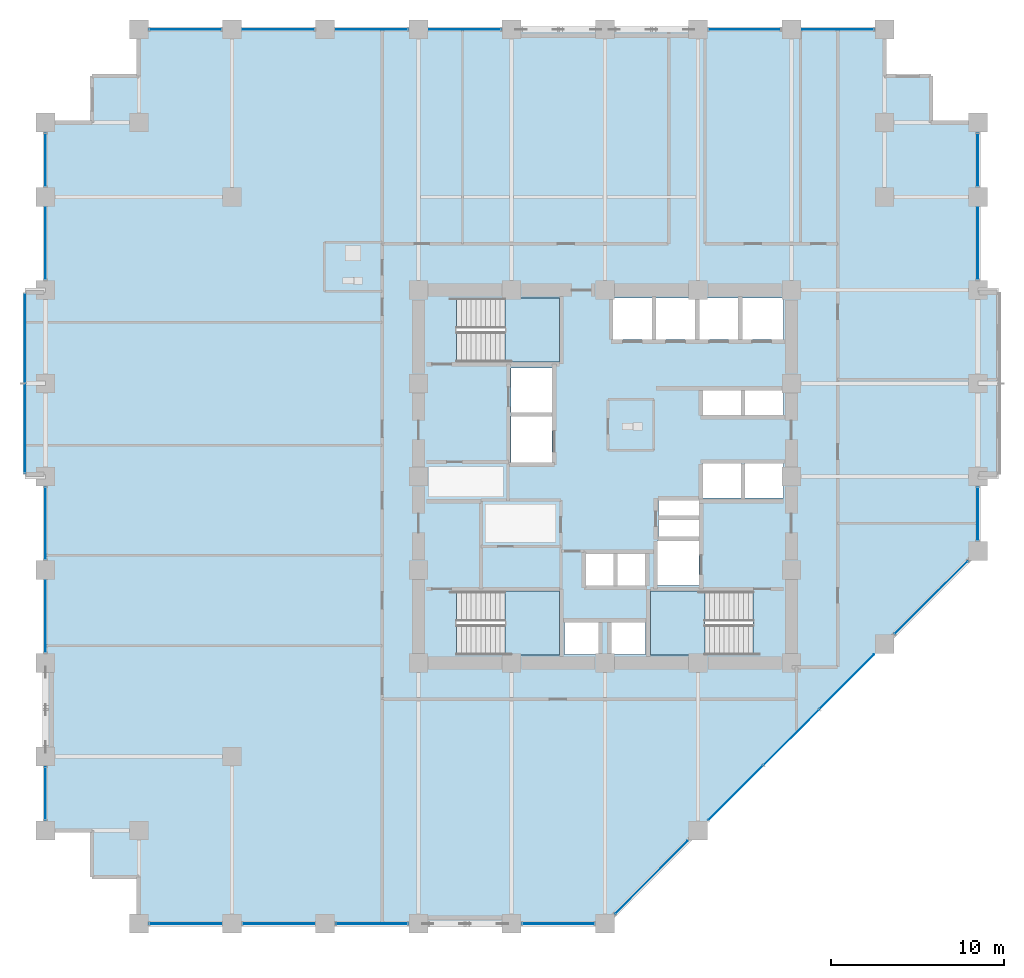
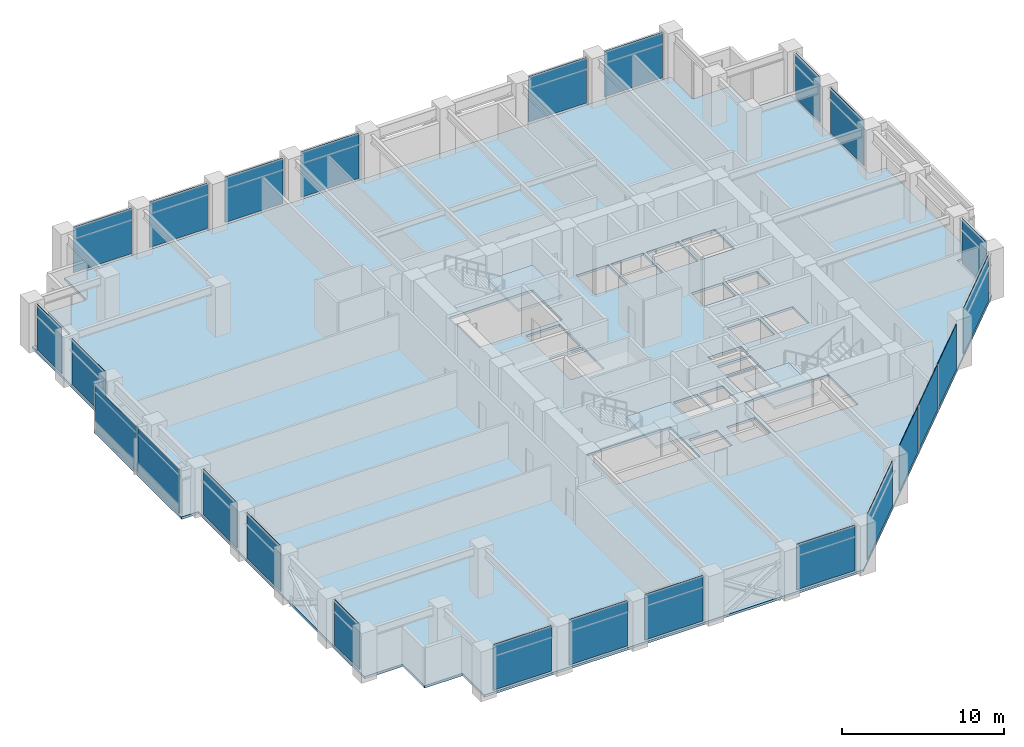
# One storey, part 18 of 25: 25 plates, 4 slabs, 14 elements without a shape of their own.
"""IFC4 building model written with IfcOpenShell, lengths in metres."""

from ifc_helpers import new_model, si_unit, direction, frame, frame_2d, origin, place, context, subcontext, project, spatial, polyline, rectangle, outline, extrude, material, layer, layer_set, type_object, element, aggregate, save


model = new_model("IFC4")

# Units and contexts
model_context = context("Model", 3, precision=1e-05, world=origin(), true_north=direction((0.0, 1.0)))
body_context = subcontext(model_context, "Body", "Model", "MODEL_VIEW")
ifc_project = project(units=[si_unit("LENGTHUNIT", "METRE"), si_unit("AREAUNIT", "SQUARE_METRE"), si_unit("VOLUMEUNIT", "CUBIC_METRE"), si_unit("PLANEANGLEUNIT", "RADIAN"), si_unit("MASSUNIT", "GRAM", prefix="KILO")], contexts=[model_context])

# Site, building, storey
site_placement = place(None, origin())
site = spatial("IfcSite", under=ifc_project, at=site_placement, CompositionType="ELEMENT")
building_placement = place(site_placement, origin())
building = spatial("IfcBuilding", under=site, at=building_placement, Name="Surkhivell Harbour Commons", CompositionType="ELEMENT")
storey_placement = place(building_placement, frame((0.0, 0.0, 98.25)))
storey = spatial("IfcBuildingStorey", under=building, at=storey_placement, Name="L25", CompositionType="ELEMENT", Elevation=98.25)

# Curtain wall, plates
ifc_material_1 = material(Name="Anodised pale-metal aluminium and insulated glazing", Category="aluminium")
ifc_layer_1 = layer(ifc_material_1, 0.1650390625)
ifc_layer_set_1 = layer_set([ifc_layer_1], Name="Anodised pale-metal aluminium and insulated glazing")
curtain_wall_type_1 = type_object("IfcCurtainWallType", Name="CW-SYS-BOX", PredefinedType="NOTDEFINED", material=ifc_layer_set_1)
curtain_wall_1_placement = place(storey_placement, origin())
curtain_wall_1 = element("IfcCurtainWall", 1, at=curtain_wall_1_placement, inside=storey, type_object=curtain_wall_type_1, Name="L25 Curtain Wall CW-L25-BOX02", PredefinedType="NOTDEFINED")
ifc_material_2 = material(Name="Triple-glazed bay-cluster vision glass", Category="glass")
ifc_layer_2 = layer(ifc_material_2, 0.028076171875)
ifc_layer_set_2 = layer_set([ifc_layer_2], Name="Triple-glazed bay-cluster vision glass")
plate_type_1 = type_object("IfcPlateType", Name="CWP-GLZ-28", PredefinedType="CURTAIN_PANEL", material=ifc_layer_set_2)
plate_1_placement = place(storey_placement, frame((-33.60009765625, 0.219970703125, 0.1298828125), z_axis=(0.0, 0.0, 1.0), x_axis=(0.0, 1.0, 0.0)))
plate_1 = element("IfcPlate", 2, at=plate_1_placement, type_object=plate_type_1, Name="CW-BOX panel 1.1", PredefinedType="CURTAIN_PANEL", context=body_context, shape_type="SweptSolid", body=[
    extrude(rectangle(XDim=5.14501953125, YDim=0.028076171875, at=frame_2d((2.572509765625, 0.0))), origin(), (0.0, 0.0, 1.0), 3.31005859375),
])
plate_2_placement = place(storey_placement, frame((-33.60009765625, 5.43505859375, 0.1298828125), z_axis=(0.0, 0.0, 1.0), x_axis=(0.0, 1.0, 0.0)))
plate_2 = element("IfcPlate", 3, at=plate_2_placement, type_object=plate_type_1, Name="CW-BOX panel 2.1", PredefinedType="CURTAIN_PANEL", context=body_context, shape_type="SweptSolid", body=[
    extrude(rectangle(XDim=5.14501953125, YDim=0.028076171875, at=frame_2d((2.572509765625, 0.0))), origin(), (0.0, 0.0, 1.0), 3.31005859375),
])
aggregate(curtain_wall_1, [plate_1, plate_2])

ifc_layer_3 = layer(ifc_material_1, 0.205078125)
ifc_layer_set_3 = layer_set([ifc_layer_3], Name="Anodised pale-metal aluminium and insulated glazing")
curtain_wall_type_2 = type_object("IfcCurtainWallType", Name="CW-SYS-Z2", PredefinedType="NOTDEFINED", material=ifc_layer_set_3)
curtain_wall_2_placement = place(storey_placement, origin())
curtain_wall_2 = element("IfcCurtainWall", 4, at=curtain_wall_2_placement, inside=storey, type_object=curtain_wall_type_2, Name="L25 Curtain Wall CW-L25-E00S1", PredefinedType="NOTDEFINED")
ifc_material_3 = material(Name="High-pressure typhoon laminated vision glass", Category="glass")
ifc_layer_4 = layer(ifc_material_3, 0.035888671875)
ifc_layer_set_4 = layer_set([ifc_layer_4], Name="High-pressure typhoon laminated vision glass")
plate_type_2 = type_object("IfcPlateType", Name="CWP-GLZ-36", PredefinedType="CURTAIN_PANEL", material=ifc_layer_set_4)
plate_3_placement = place(storey_placement, frame((-26.373046875, -25.89990234375, 0.14990234375), z_axis=(0.0, 0.0, 1.0), x_axis=(1.0, 0.0, 0.0)))
plate_3 = element("IfcPlate", 5, at=plate_3_placement, type_object=plate_type_2, Name="CW-Z2 panel 1.1", PredefinedType="CURTAIN_PANEL", context=body_context, shape_type="SweptSolid", body=[
    extrude(rectangle(XDim=4.14599609375, YDim=0.035888671875, at=frame_2d((2.072998046875, 0.0))), origin(), (0.0, 0.0, 1.0), 3.420166015625),
])
plate_4_placement = place(storey_placement, frame((-20.972900390625, -25.89990234375, 0.14990234375), z_axis=(0.0, 0.0, 1.0), x_axis=(1.0, 0.0, 0.0)))
plate_4 = element("IfcPlate", 6, at=plate_4_placement, type_object=plate_type_2, Name="CW-Z2 panel 2.1", PredefinedType="CURTAIN_PANEL", context=body_context, shape_type="SweptSolid", body=[
    extrude(rectangle(XDim=4.14599609375, YDim=0.035888671875, at=frame_2d((2.072998046875, 0.0))), origin(), (0.0, 0.0, 1.0), 3.420166015625),
])
plate_5_placement = place(storey_placement, frame((-15.572998046875, -25.89990234375, 0.14990234375), z_axis=(0.0, 0.0, 1.0), x_axis=(1.0, 0.0, 0.0)))
plate_5 = element("IfcPlate", 7, at=plate_5_placement, type_object=plate_type_2, Name="CW-Z2 panel 3.1", PredefinedType="CURTAIN_PANEL", context=body_context, shape_type="SweptSolid", body=[
    extrude(rectangle(XDim=4.14599609375, YDim=0.035888671875, at=frame_2d((2.072998046875, 0.0))), origin(), (0.0, 0.0, 1.0), 3.420166015625),
])
aggregate(curtain_wall_2, [plate_3, plate_4, plate_5])

# Curtain wall, plate
curtain_wall_3_placement = place(storey_placement, origin())
curtain_wall_3 = element("IfcCurtainWall", 8, at=curtain_wall_3_placement, inside=storey, type_object=curtain_wall_type_2, Name="L25 Curtain Wall CW-L25-E00S2", PredefinedType="NOTDEFINED")
plate_6_placement = place(storey_placement, frame((-4.77294921875, -25.89990234375, 0.14990234375), z_axis=(0.0, 0.0, 1.0), x_axis=(1.0, 0.0, 0.0)))
plate_6 = element("IfcPlate", 9, at=plate_6_placement, type_object=plate_type_2, Name="CW-Z2 panel 1.1", PredefinedType="CURTAIN_PANEL", context=body_context, shape_type="SweptSolid", body=[
    extrude(rectangle(XDim=4.14599609375, YDim=0.035888671875, at=frame_2d((2.072998046875, 0.0))), origin(), (0.0, 0.0, 1.0), 3.420166015625),
])
aggregate(curtain_wall_3, [plate_6])

# Curtain wall, plates
curtain_wall_4_placement = place(storey_placement, origin())
curtain_wall_4 = element("IfcCurtainWall", 10, at=curtain_wall_4_placement, inside=storey, type_object=curtain_wall_type_2, Name="L25 Curtain Wall CW-L25-E01", PredefinedType="NOTDEFINED")
plate_7_placement = place(storey_placement, frame((0.604736328125, -25.295166015625, 0.14990234375), z_axis=(0.0, 0.0, 1.0), x_axis=(0.707106781187, 0.707106781187, 0.0)))
plate_7 = element("IfcPlate", 11, at=plate_7_placement, type_object=plate_type_2, Name="CW-Z2 panel 1.1", PredefinedType="CURTAIN_PANEL", context=body_context, shape_type="SweptSolid", body=[
    extrude(rectangle(XDim=5.92626953125, YDim=0.035888671875, at=frame_2d((2.963134765625, 0.0))), origin(), (0.0, 0.0, 1.0), 3.420166015625),
])
plate_8_placement = place(storey_placement, frame((6.004638671875, -19.895263671875, 0.14990234375), z_axis=(0.0, 0.0, 1.0), x_axis=(0.707134159244, 0.707079402069, 0.0)))
plate_8 = element("IfcPlate", 12, at=plate_8_placement, type_object=plate_type_2, Name="CW-Z2 panel 2.1", PredefinedType="CURTAIN_PANEL", context=body_context, shape_type="SweptSolid", body=[
    extrude(rectangle(XDim=4.45849609375, YDim=0.035888671875, at=frame_2d((2.229248046875, 0.0))), origin(), (0.0, 0.0, 1.0), 3.420166015625),
])
plate_9_placement = place(storey_placement, frame((9.21044921875, -16.689697265625, 0.14990234375), z_axis=(0.0, 0.0, 1.0), x_axis=(0.707106781187, 0.707106781187, 0.0)))
plate_9 = element("IfcPlate", 13, at=plate_9_placement, type_object=plate_type_2, Name="CW-Z2 panel 3.1", PredefinedType="CURTAIN_PANEL", context=body_context, shape_type="SweptSolid", body=[
    extrude(rectangle(XDim=4.49609375, YDim=0.035888671875, at=frame_2d((2.248046875, 0.0))), origin(), (0.0, 0.0, 1.0), 3.420166015625),
])
plate_10_placement = place(storey_placement, frame((12.442626953125, -13.457275390625, 0.14990234375), z_axis=(0.0, 0.0, 1.0), x_axis=(0.707106781187, 0.707106781187, 0.0)))
plate_10 = element("IfcPlate", 14, at=plate_10_placement, type_object=plate_type_2, Name="CW-Z2 panel 4.1", PredefinedType="CURTAIN_PANEL", context=body_context, shape_type="SweptSolid", body=[
    extrude(rectangle(XDim=4.45849609375, YDim=0.035888671875, at=frame_2d((2.229248046875, 0.0))), origin(), (0.0, 0.0, 1.0), 3.420166015625),
])
plate_11_placement = place(storey_placement, frame((16.8046875, -9.09521484375, 0.14990234375), z_axis=(0.0, 0.0, 1.0), x_axis=(0.707127378829, 0.707086182944, 0.0)))
plate_11 = element("IfcPlate", 15, at=plate_11_placement, type_object=plate_type_2, Name="CW-Z2 panel 5.1", PredefinedType="CURTAIN_PANEL", context=body_context, shape_type="SweptSolid", body=[
    extrude(rectangle(XDim=5.92626953125, YDim=0.035888671875, at=frame_2d((2.963134765625, 0.0))), origin(), (0.0, 0.0, 1.0), 3.420166015625),
])
aggregate(curtain_wall_4, [plate_7, plate_8, plate_9, plate_10, plate_11])

# Curtain wall, plate
curtain_wall_5_placement = place(storey_placement, origin())
curtain_wall_5 = element("IfcCurtainWall", 16, at=curtain_wall_5_placement, inside=storey, type_object=curtain_wall_type_2, Name="L25 Curtain Wall CW-L25-E02R1", PredefinedType="NOTDEFINED")
plate_12_placement = place(storey_placement, frame((21.60009765625, -3.673095703125, 0.14990234375), z_axis=(0.0, 0.0, 1.0), x_axis=(0.0, 1.0, 0.0)))
plate_12 = element("IfcPlate", 17, at=plate_12_placement, type_object=plate_type_2, Name="CW-Z2 panel 1.1", PredefinedType="CURTAIN_PANEL", context=body_context, shape_type="SweptSolid", body=[
    extrude(rectangle(XDim=3.046142578125, YDim=0.035888671875, at=frame_2d((1.52294921875, 0.0))), origin(), (0.0, 0.0, 1.0), 3.420166015625),
])
aggregate(curtain_wall_5, [plate_12])

# Curtain wall, plates
curtain_wall_6_placement = place(storey_placement, origin())
curtain_wall_6 = element("IfcCurtainWall", 18, at=curtain_wall_6_placement, inside=storey, type_object=curtain_wall_type_2, Name="L25 Curtain Wall CW-L25-E02R2", PredefinedType="NOTDEFINED")
plate_13_placement = place(storey_placement, frame((21.60009765625, 11.427001953125, 0.14990234375), z_axis=(0.0, 0.0, 1.0), x_axis=(0.0, 1.0, 0.0)))
plate_13 = element("IfcPlate", 19, at=plate_13_placement, type_object=plate_type_2, Name="CW-Z2 panel 1.1", PredefinedType="CURTAIN_PANEL", context=body_context, shape_type="SweptSolid", body=[
    extrude(rectangle(XDim=4.14599609375, YDim=0.035888671875, at=frame_2d((2.072998046875, 0.0))), origin(), (0.0, 0.0, 1.0), 3.420166015625),
])
plate_14_placement = place(storey_placement, frame((21.60009765625, 16.826904296875, 0.14990234375), z_axis=(0.0, 0.0, 1.0), x_axis=(0.0, 1.0, 0.0)))
plate_14 = element("IfcPlate", 20, at=plate_14_placement, type_object=plate_type_2, Name="CW-Z2 panel 2.1", PredefinedType="CURTAIN_PANEL", context=body_context, shape_type="SweptSolid", body=[
    extrude(rectangle(XDim=3.046142578125, YDim=0.035888671875, at=frame_2d((1.52294921875, 0.0))), origin(), (0.0, 0.0, 1.0), 3.420166015625),
])
aggregate(curtain_wall_6, [plate_13, plate_14])

curtain_wall_7_placement = place(storey_placement, origin())
curtain_wall_7 = element("IfcCurtainWall", 21, at=curtain_wall_7_placement, inside=storey, type_object=curtain_wall_type_2, Name="L25 Curtain Wall CW-L25-E07S1", PredefinedType="NOTDEFINED")
plate_15_placement = place(storey_placement, frame((15.572998046875, 25.89990234375, 0.14990234375), z_axis=(0.0, 0.0, 1.0), x_axis=(-1.0, 0.0, 0.0)))
plate_15 = element("IfcPlate", 22, at=plate_15_placement, type_object=plate_type_2, Name="CW-Z2 panel 1.1", PredefinedType="CURTAIN_PANEL", context=body_context, shape_type="SweptSolid", body=[
    extrude(rectangle(XDim=4.14599609375, YDim=0.035888671875, at=frame_2d((2.072998046875, 0.0))), origin(), (0.0, 0.0, 1.0), 3.420166015625),
])
plate_16_placement = place(storey_placement, frame((10.173095703125, 25.89990234375, 0.14990234375), z_axis=(0.0, 0.0, 1.0), x_axis=(-1.0, 0.0, 0.0)))
plate_16 = element("IfcPlate", 23, at=plate_16_placement, type_object=plate_type_2, Name="CW-Z2 panel 2.1", PredefinedType="CURTAIN_PANEL", context=body_context, shape_type="SweptSolid", body=[
    extrude(rectangle(XDim=4.14599609375, YDim=0.035888671875, at=frame_2d((2.072998046875, 0.0))), origin(), (0.0, 0.0, 1.0), 3.420166015625),
])
aggregate(curtain_wall_7, [plate_15, plate_16])

curtain_wall_8_placement = place(storey_placement, origin())
curtain_wall_8 = element("IfcCurtainWall", 24, at=curtain_wall_8_placement, inside=storey, type_object=curtain_wall_type_2, Name="L25 Curtain Wall CW-L25-E07S2", PredefinedType="NOTDEFINED")
plate_17_placement = place(storey_placement, frame((-6.027099609375, 25.89990234375, 0.14990234375), z_axis=(0.0, 0.0, 1.0), x_axis=(-1.0, 0.0, 0.0)))
plate_17 = element("IfcPlate", 25, at=plate_17_placement, type_object=plate_type_2, Name="CW-Z2 panel 1.1", PredefinedType="CURTAIN_PANEL", context=body_context, shape_type="SweptSolid", body=[
    extrude(rectangle(XDim=4.14599609375, YDim=0.035888671875, at=frame_2d((2.072998046875, 0.0))), origin(), (0.0, 0.0, 1.0), 3.420166015625),
])
plate_18_placement = place(storey_placement, frame((-11.427001953125, 25.89990234375, 0.14990234375), z_axis=(0.0, 0.0, 1.0), x_axis=(-1.0, 0.0, 0.0)))
plate_18 = element("IfcPlate", 26, at=plate_18_placement, type_object=plate_type_2, Name="CW-Z2 panel 2.1", PredefinedType="CURTAIN_PANEL", context=body_context, shape_type="SweptSolid", body=[
    extrude(rectangle(XDim=4.14599609375, YDim=0.035888671875, at=frame_2d((2.072998046875, 0.0))), origin(), (0.0, 0.0, 1.0), 3.420166015625),
])
plate_19_placement = place(storey_placement, frame((-16.826904296875, 25.89990234375, 0.14990234375), z_axis=(0.0, 0.0, 1.0), x_axis=(-1.0, 0.0, 0.0)))
plate_19 = element("IfcPlate", 27, at=plate_19_placement, type_object=plate_type_2, Name="CW-Z2 panel 3.1", PredefinedType="CURTAIN_PANEL", context=body_context, shape_type="SweptSolid", body=[
    extrude(rectangle(XDim=4.14599609375, YDim=0.035888671875, at=frame_2d((2.072998046875, 0.0))), origin(), (0.0, 0.0, 1.0), 3.420166015625),
])
plate_20_placement = place(storey_placement, frame((-22.22705078125, 25.89990234375, 0.14990234375), z_axis=(0.0, 0.0, 1.0), x_axis=(-1.0, 0.0, 0.0)))
plate_20 = element("IfcPlate", 28, at=plate_20_placement, type_object=plate_type_2, Name="CW-Z2 panel 4.1", PredefinedType="CURTAIN_PANEL", context=body_context, shape_type="SweptSolid", body=[
    extrude(rectangle(XDim=4.14599609375, YDim=0.035888671875, at=frame_2d((2.072998046875, 0.0))), origin(), (0.0, 0.0, 1.0), 3.420166015625),
])
aggregate(curtain_wall_8, [plate_17, plate_18, plate_19, plate_20])

# Curtain wall, plate
curtain_wall_9_placement = place(storey_placement, origin())
curtain_wall_9 = element("IfcCurtainWall", 29, at=curtain_wall_9_placement, inside=storey, type_object=curtain_wall_type_2, Name="L25 Curtain Wall CW-L25-E12R1S1", PredefinedType="NOTDEFINED")
plate_21_placement = place(storey_placement, frame((-32.39990234375, -19.873046875, 0.14990234375), z_axis=(0.0, 0.0, 1.0), x_axis=(0.0, 1.0, 0.0)))
plate_21 = element("IfcPlate", 30, at=plate_21_placement, type_object=plate_type_2, Name="CW-Z2 panel 1.1", PredefinedType="CURTAIN_PANEL", context=body_context, shape_type="SweptSolid", body=[
    extrude(rectangle(XDim=3.046142578125, YDim=0.035888671875, at=frame_2d((1.52294921875, 0.0))), origin(), (0.0, 0.0, 1.0), 3.420166015625),
])
aggregate(curtain_wall_9, [plate_21])

# Curtain wall, plates
curtain_wall_10_placement = place(storey_placement, origin())
curtain_wall_10 = element("IfcCurtainWall", 31, at=curtain_wall_10_placement, inside=storey, type_object=curtain_wall_type_2, Name="L25 Curtain Wall CW-L25-E12R1S2", PredefinedType="NOTDEFINED")
plate_22_placement = place(storey_placement, frame((-32.39990234375, -10.173095703125, 0.14990234375), z_axis=(0.0, 0.0, 1.0), x_axis=(0.0, 1.0, 0.0)))
plate_22 = element("IfcPlate", 32, at=plate_22_placement, type_object=plate_type_2, Name="CW-Z2 panel 1.1", PredefinedType="CURTAIN_PANEL", context=body_context, shape_type="SweptSolid", body=[
    extrude(rectangle(XDim=4.14599609375, YDim=0.035888671875, at=frame_2d((2.072998046875, 0.0))), origin(), (0.0, 0.0, 1.0), 3.420166015625),
])
plate_23_placement = place(storey_placement, frame((-32.39990234375, -4.77294921875, 0.14990234375), z_axis=(0.0, 0.0, 1.0), x_axis=(0.0, 1.0, 0.0)))
plate_23 = element("IfcPlate", 33, at=plate_23_placement, type_object=plate_type_2, Name="CW-Z2 panel 2.1", PredefinedType="CURTAIN_PANEL", context=body_context, shape_type="SweptSolid", body=[
    extrude(rectangle(XDim=4.14599609375, YDim=0.035888671875, at=frame_2d((2.072998046875, 0.0))), origin(), (0.0, 0.0, 1.0), 3.420166015625),
])
aggregate(curtain_wall_10, [plate_22, plate_23])

curtain_wall_11_placement = place(storey_placement, origin())
curtain_wall_11 = element("IfcCurtainWall", 34, at=curtain_wall_11_placement, inside=storey, type_object=curtain_wall_type_2, Name="L25 Curtain Wall CW-L25-E12R2", PredefinedType="NOTDEFINED")
plate_24_placement = place(storey_placement, frame((-32.39990234375, 11.427001953125, 0.14990234375), z_axis=(0.0, 0.0, 1.0), x_axis=(0.0, 1.0, 0.0)))
plate_24 = element("IfcPlate", 35, at=plate_24_placement, type_object=plate_type_2, Name="CW-Z2 panel 1.1", PredefinedType="CURTAIN_PANEL", context=body_context, shape_type="SweptSolid", body=[
    extrude(rectangle(XDim=4.14599609375, YDim=0.035888671875, at=frame_2d((2.072998046875, 0.0))), origin(), (0.0, 0.0, 1.0), 3.420166015625),
])
plate_25_placement = place(storey_placement, frame((-32.39990234375, 16.826904296875, 0.14990234375), z_axis=(0.0, 0.0, 1.0), x_axis=(0.0, 1.0, 0.0)))
plate_25 = element("IfcPlate", 36, at=plate_25_placement, type_object=plate_type_2, Name="CW-Z2 panel 2.1", PredefinedType="CURTAIN_PANEL", context=body_context, shape_type="SweptSolid", body=[
    extrude(rectangle(XDim=3.046142578125, YDim=0.035888671875, at=frame_2d((1.52294921875, 0.0))), origin(), (0.0, 0.0, 1.0), 3.420166015625),
])
aggregate(curtain_wall_11, [plate_24, plate_25])

# Stair, slab
ifc_material_4 = material(Name="Precast concrete C45/55", Category="concrete")
stair_type = type_object("IfcStairType", Name="STR-DL-375", PredefinedType="HALF_TURN_STAIR", material=ifc_material_4)
stair_1_placement = place(storey_placement, origin())
stair_1 = element("IfcStair", 37, at=stair_1_placement, inside=storey, type_object=stair_type, Name="L25 Core Exit Stair ST1", PredefinedType="HALF_TURN_STAIR")
ifc_material_5 = material(Name="Reinforced concrete C45/55", Category="concrete")
ifc_layer_5 = layer(ifc_material_5, 0.199951171875)
ifc_layer_set_5 = layer_set([ifc_layer_5], Name="Reinforced concrete C45/55")
slab_type_1 = type_object("IfcSlabType", Name="SLB-ST-LND200", PredefinedType="LANDING", material=ifc_layer_set_5)
slab_1_placement = place(storey_placement, frame((0.0, 0.0, 1.675048828125)))
slab_1 = element("IfcSlab", 38, at=slab_1_placement, type_object=slab_type_1, Name="ST1 landing 1", PredefinedType="LANDING", context=body_context, shape_type="SweptSolid", body=[
    extrude(outline(polyline([(-5.7900390625, 6.639892578125), (-2.639892578125, 6.639892578125), (-2.639892578125, 10.340087890625), (-5.7900390625, 10.340087890625), (-5.7900390625, 6.639892578125)])), origin(), (0.0, 0.0, 1.0), 0.199951171875),
])
aggregate(stair_1, [slab_1])

stair_2_placement = place(storey_placement, origin())
stair_2 = element("IfcStair", 39, at=stair_2_placement, inside=storey, type_object=stair_type, Name="L25 Core Exit Stair ST2", PredefinedType="HALF_TURN_STAIR")
slab_2_placement = place(storey_placement, frame((0.0, 0.0, 1.675048828125)))
slab_2 = element("IfcSlab", 40, at=slab_2_placement, type_object=slab_type_1, Name="ST2 landing 1", PredefinedType="LANDING", context=body_context, shape_type="SweptSolid", body=[
    extrude(outline(polyline([(5.7900390625, -6.639892578125), (2.639892578125, -6.639892578125), (2.639892578125, -10.340087890625), (5.7900390625, -10.340087890625), (5.7900390625, -6.639892578125)])), origin(), (0.0, 0.0, 1.0), 0.199951171875),
])
aggregate(stair_2, [slab_2])

stair_3_placement = place(storey_placement, origin())
stair_3 = element("IfcStair", 41, at=stair_3_placement, inside=storey, type_object=stair_type, Name="L25 Core Exit Stair ST3", PredefinedType="HALF_TURN_STAIR")
slab_3_placement = place(storey_placement, frame((0.0, 0.0, 1.675048828125)))
slab_3 = element("IfcSlab", 42, at=slab_3_placement, type_object=slab_type_1, Name="ST3 landing 1", PredefinedType="LANDING", context=body_context, shape_type="SweptSolid", body=[
    extrude(outline(polyline([(-5.7900390625, -10.340087890625), (-2.639892578125, -10.340087890625), (-2.639892578125, -6.639892578125), (-5.7900390625, -6.639892578125), (-5.7900390625, -10.340087890625)])), origin(), (0.0, 0.0, 1.0), 0.199951171875),
])
aggregate(stair_3, [slab_3])

# Slab
ifc_material_6 = material(Name="Concrete C45/55", Category="concrete")
ifc_layer_6 = layer(ifc_material_6, 0.179931640625)
ifc_layer_set_6 = layer_set([ifc_layer_6], Name="Concrete C45/55")
slab_type_2 = type_object("IfcSlabType", Name="SLB-TYP-180", PredefinedType="FLOOR", material=ifc_layer_set_6)
slab_4_placement = place(storey_placement, frame((0.0, 0.0, -0.179931640625)))
element("IfcSlab", 43, at=slab_4_placement, inside=storey, type_object=slab_type_2, Name="L25 Structural Floor Slab", PredefinedType="FLOOR", context=body_context, shape_type="SweptSolid", body=[
    extrude(outline(polyline([(-32.39990234375, 20.5), (-32.39990234375, 10.800048828125), (-33.60009765625, 10.800048828125), (-33.60009765625, 0.0), (-32.39990234375, 0.0), (-32.39990234375, -20.5), (-29.699951171875, -20.5), (-29.699951171875, -23.199951171875), (-27.0, -23.199951171875), (-27.0, -25.89990234375), (0.0, -25.89990234375), (21.60009765625, -4.300048828125), (21.60009765625, 0.0), (22.800048828125, 0.0), (22.800048828125, 10.800048828125), (21.60009765625, 10.800048828125), (21.60009765625, 20.5), (18.89990234375, 20.5), (18.89990234375, 23.199951171875), (16.199951171875, 23.199951171875), (16.199951171875, 25.89990234375), (-27.0, 25.89990234375), (-27.0, 23.199951171875), (-29.699951171875, 23.199951171875), (-29.699951171875, 20.5), (-32.39990234375, 20.5)]), holes=[polyline([(-8.590087890625, 6.639892578125), (-2.639892578125, 6.639892578125), (-2.639892578125, 10.340087890625), (-8.590087890625, 10.340087890625), (-8.590087890625, 6.639892578125)]), polyline([(8.590087890625, -6.639892578125), (2.639892578125, -6.639892578125), (2.639892578125, -10.340087890625), (8.590087890625, -10.340087890625), (8.590087890625, -6.639892578125)]), polyline([(-8.590087890625, -10.340087890625), (-2.639892578125, -10.340087890625), (-2.639892578125, -6.639892578125), (-8.590087890625, -6.639892578125), (-8.590087890625, -10.340087890625)]), polyline([(0.449951171875, 7.949951171875), (2.75, 7.949951171875), (2.75, 10.35009765625), (0.449951171875, 10.35009765625), (0.449951171875, 7.949951171875)]), polyline([(2.949951171875, 7.949951171875), (5.25, 7.949951171875), (5.25, 10.35009765625), (2.949951171875, 10.35009765625), (2.949951171875, 7.949951171875)]), polyline([(5.449951171875, 7.949951171875), (7.75, 7.949951171875), (7.75, 10.35009765625), (5.449951171875, 10.35009765625), (5.449951171875, 7.949951171875)]), polyline([(7.949951171875, 7.949951171875), (10.35009765625, 7.949951171875), (10.35009765625, 10.35009765625), (7.949951171875, 10.35009765625), (7.949951171875, 7.949951171875)]), polyline([(5.64990234375, 3.550048828125), (7.89990234375, 3.550048828125), (7.89990234375, 5.14990234375), (5.64990234375, 5.14990234375), (5.64990234375, 3.550048828125)]), polyline([(8.10009765625, 3.550048828125), (10.35009765625, 3.550048828125), (10.35009765625, 5.14990234375), (8.10009765625, 5.14990234375), (8.10009765625, 3.550048828125)]), polyline([(5.64990234375, -1.25), (7.89990234375, -1.25), (7.89990234375, 0.75), (5.64990234375, 0.75), (5.64990234375, -1.25)]), polyline([(8.10009765625, -1.25), (10.35009765625, -1.25), (10.35009765625, 0.75), (8.10009765625, 0.75), (8.10009765625, -1.25)]), polyline([(-1.14990234375, -6.35009765625), (0.550048828125, -6.35009765625), (0.550048828125, -4.449951171875), (-1.14990234375, -4.449951171875), (-1.14990234375, -6.35009765625)]), polyline([(0.679931640625, -6.35009765625), (2.3798828125, -6.35009765625), (2.3798828125, -4.449951171875), (0.679931640625, -4.449951171875), (0.679931640625, -6.35009765625)]), polyline([(-2.35009765625, -10.300048828125), (-0.35009765625, -10.300048828125), (-0.35009765625, -8.39990234375), (-2.35009765625, -8.39990234375), (-2.35009765625, -10.300048828125)]), polyline([(0.35009765625, -10.300048828125), (2.35009765625, -10.300048828125), (2.35009765625, -8.39990234375), (0.35009765625, -8.39990234375), (0.35009765625, -10.300048828125)]), polyline([(-5.449951171875, 3.699951171875), (-3.050048828125, 3.699951171875), (-3.050048828125, 6.300048828125), (-5.449951171875, 6.300048828125), (-5.449951171875, 3.699951171875)]), polyline([(3.050048828125, -6.300048828125), (5.449951171875, -6.300048828125), (5.449951171875, -3.699951171875), (3.050048828125, -3.699951171875), (3.050048828125, -6.300048828125)]), polyline([(-5.449951171875, 0.800048828125), (-3.050048828125, 0.800048828125), (-3.050048828125, 3.5), (-5.449951171875, 3.5), (-5.449951171875, 0.800048828125)]), polyline([(3.10009765625, -3.550048828125), (5.449951171875, -3.550048828125), (5.449951171875, -2.47998046875), (3.10009765625, -2.47998046875), (3.10009765625, -3.550048828125)]), polyline([(3.10009765625, -2.280029296875), (5.449951171875, -2.280029296875), (5.449951171875, -1.35009765625), (3.10009765625, -1.35009765625), (3.10009765625, -2.280029296875)])]), origin(), (0.0, 0.0, 1.0), 0.179931640625),
])

save(model, "model.ifc")
